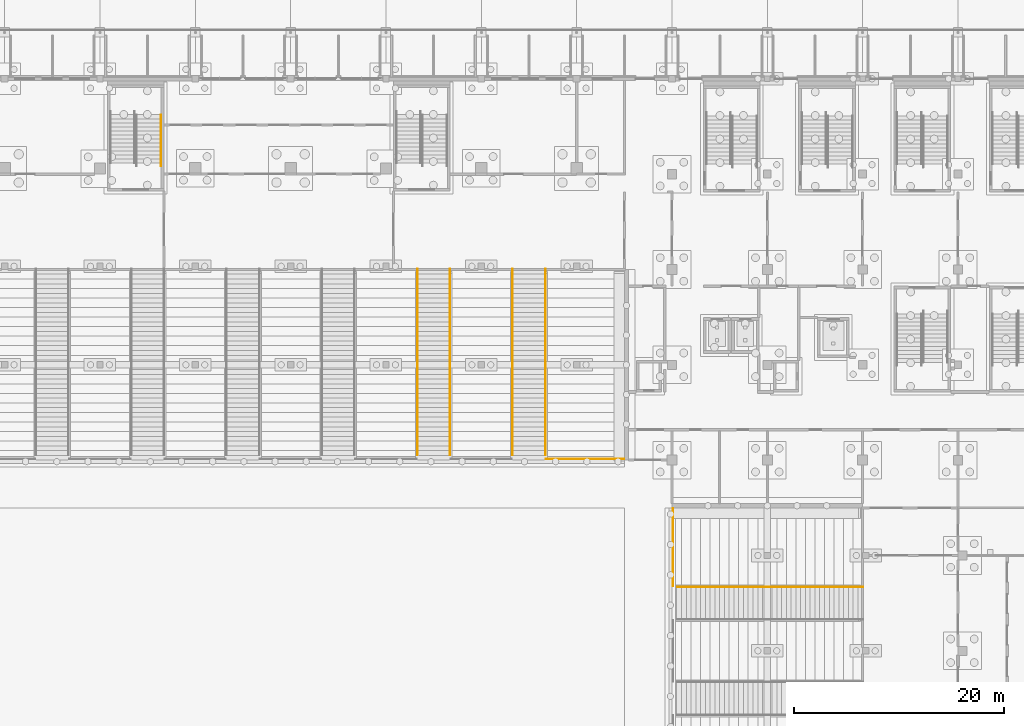
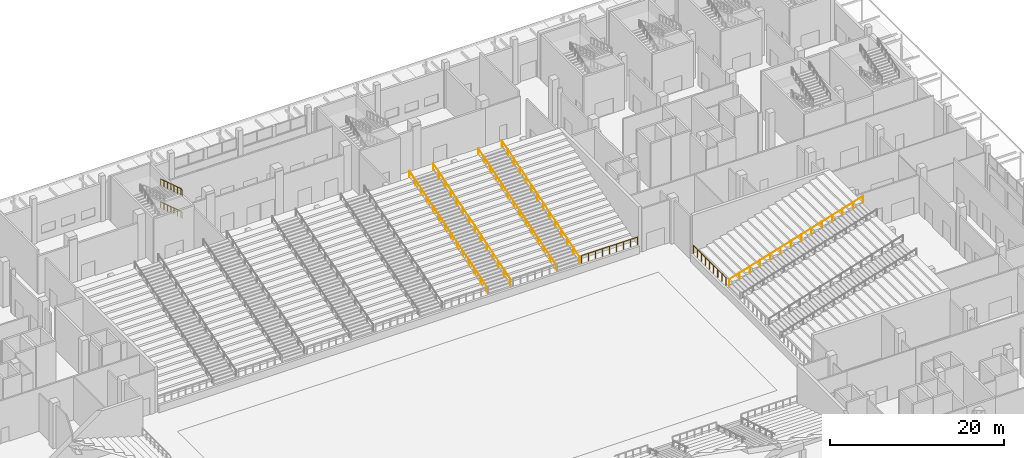
# One storey, part 114 of 129: 9 railings.
"""IFC4 building model written with IfcOpenShell, lengths in metres."""

from ifc_helpers import new_model, si_unit, direction, frame, origin, origin_2d, place, context, subcontext, project, spatial, circle, extrude, material, type_object, element, save


model = new_model("IFC4")

# Units and contexts
model_context = context("Model", 3, precision=1e-05, world=origin(), true_north=direction((0.0, 1.0)))
body_context = subcontext(model_context, "Body", "Model", "MODEL_VIEW")
ifc_project = project(units=[si_unit("LENGTHUNIT", "METRE"), si_unit("AREAUNIT", "SQUARE_METRE"), si_unit("VOLUMEUNIT", "CUBIC_METRE"), si_unit("PLANEANGLEUNIT", "RADIAN"), si_unit("MASSUNIT", "GRAM", prefix="KILO")], contexts=[model_context])

# Site, building, storey
site_placement = place(None, origin())
site = spatial("IfcSite", under=ifc_project, at=site_placement, CompositionType="ELEMENT")
building_placement = place(site_placement, origin())
building = spatial("IfcBuilding", under=site, at=building_placement, Name="Shirokan Park Arena", CompositionType="ELEMENT")
storey_placement = place(building_placement, origin())
storey = spatial("IfcBuildingStorey", under=building, at=storey_placement, Name="L00", CompositionType="ELEMENT", Elevation=0.0)

# Railings
ifc_material = material(Name="Stainless steel", Category="steel")
railing_type_1 = type_object("IfcRailingType", Name="Aisle handrail 900", PredefinedType="HANDRAIL", material=ifc_material)
railing_1_placement = place(storey_placement, frame((84.889892578125, 73.304931640625, 0.909912109375)))
element("IfcRailing", 1, at=railing_1_placement, inside=storey, type_object=railing_type_1, Name="Handrail vomitory stair N5 lower", PredefinedType="HANDRAIL", context=body_context, shape_type="SweptSolid", body=[
    extrude(circle(Radius=0.02490234375, at=origin_2d()), frame((0.0, 0.0, 0.89013671875), z_axis=(0.0, 0.955745737905, 0.294193957241), x_axis=(-1.0, 0.0, 0.0)), (0.0, 0.0, 1.0), 1.42822265625),
    extrude(circle(Radius=0.02490234375, at=origin_2d()), frame((0.0, 1.364990234375, 1.310546875), z_axis=(0.0, 0.95579379257, 0.294037797035), x_axis=(-1.0, 0.0, 0.0)), (0.0, 0.0, 1.0), 1.42822265625),
    extrude(circle(Radius=0.02490234375, at=origin_2d()), frame((0.0, 2.72998046875, 1.73046875), z_axis=(0.0, 0.95579379257, 0.294037797035), x_axis=(-1.0, 0.0, 0.0)), (0.0, 0.0, 1.0), 1.42822265625),
    extrude(circle(Radius=0.02490234375, at=origin_2d()), frame((0.0, 4.094970703125, 2.150390625), z_axis=(0.0, 0.955745737905, 0.294193957241), x_axis=(-1.0, 0.0, 0.0)), (0.0, 0.0, 1.0), 1.42822265625),
    extrude(circle(Radius=0.02490234375, at=origin_2d()), frame((0.0, 5.4599609375, 2.5703125), z_axis=(0.0, 0.95579379257, 0.294037797035), x_axis=(-1.0, 0.0, 0.0)), (0.0, 0.0, 1.0), 1.42822265625),
    extrude(circle(Radius=0.02490234375, at=origin_2d()), frame((0.0, 6.824951171875, 2.990234375), z_axis=(0.0, 0.955808569173, 0.293989760189), x_axis=(-1.0, 0.0, 0.0)), (0.0, 0.0, 1.0), 1.428466796875),
    extrude(circle(Radius=0.02490234375, at=origin_2d()), frame((0.0, 8.190185546875, 3.41015625), z_axis=(0.0, 0.955745737905, 0.294193957241), x_axis=(-1.0, 0.0, 0.0)), (0.0, 0.0, 1.0), 1.42822265625),
    extrude(circle(Radius=0.02490234375, at=origin_2d()), frame((0.0, 9.55517578125, 3.83056640625), z_axis=(0.0, 0.95579379257, 0.294037797035), x_axis=(-1.0, 0.0, 0.0)), (0.0, 0.0, 1.0), 1.42822265625),
    extrude(circle(Radius=0.02490234375, at=origin_2d()), frame((0.0, 10.920166015625, 4.25048828125), z_axis=(0.0, 0.95579379257, 0.294037797035), x_axis=(-1.0, 0.0, 0.0)), (0.0, 0.0, 1.0), 1.42822265625),
    extrude(circle(Radius=0.02490234375, at=origin_2d()), frame((0.0, 12.28515625, 4.67041015625), z_axis=(0.0, 0.955745737905, 0.294193957241), x_axis=(-1.0, 0.0, 0.0)), (0.0, 0.0, 1.0), 1.42822265625),
    extrude(circle(Radius=0.02490234375, at=origin_2d()), frame((0.0, 13.650146484375, 5.09033203125), z_axis=(0.0, 0.95579379257, 0.294037797035), x_axis=(-1.0, 0.0, 0.0)), (0.0, 0.0, 1.0), 1.42822265625),
    extrude(circle(Radius=0.02490234375, at=origin_2d()), frame((0.0, 15.01513671875, 5.51025390625), z_axis=(0.0, 0.95579379257, 0.294037797035), x_axis=(-1.0, 0.0, 0.0)), (0.0, 0.0, 1.0), 1.42822265625),
    extrude(circle(Radius=0.02490234375, at=origin_2d()), frame((0.0, 16.380126953125, 5.93017578125), z_axis=(0.0, 0.955745737905, 0.294193957241), x_axis=(-1.0, 0.0, 0.0)), (0.0, 0.0, 1.0), 1.42822265625),
    extrude(circle(Radius=0.02490234375, at=origin_2d()), origin(), (0.0, 0.0, 1.0), 0.865234375),
    extrude(circle(Radius=0.02490234375, at=origin_2d()), frame((0.0, 1.364990234375, 0.420166015625)), (0.0, 0.0, 1.0), 0.865234375),
    extrude(circle(Radius=0.02490234375, at=origin_2d()), frame((0.0, 2.72998046875, 0.840087890625)), (0.0, 0.0, 1.0), 0.865234375),
    extrude(circle(Radius=0.02490234375, at=origin_2d()), frame((0.0, 4.094970703125, 1.260009765625)), (0.0, 0.0, 1.0), 0.865234375),
    extrude(circle(Radius=0.02490234375, at=origin_2d()), frame((0.0, 5.4599609375, 1.68017578125)), (0.0, 0.0, 1.0), 0.865234375),
    extrude(circle(Radius=0.02490234375, at=origin_2d()), frame((0.0, 6.824951171875, 2.10009765625)), (0.0, 0.0, 1.0), 0.865234375),
    extrude(circle(Radius=0.02490234375, at=origin_2d()), frame((0.0, 8.190185546875, 2.52001953125)), (0.0, 0.0, 1.0), 0.865234375),
    extrude(circle(Radius=0.02490234375, at=origin_2d()), frame((0.0, 9.55517578125, 2.940185546875)), (0.0, 0.0, 1.0), 0.865234375),
    extrude(circle(Radius=0.02490234375, at=origin_2d()), frame((0.0, 10.920166015625, 3.360107421875)), (0.0, 0.0, 1.0), 0.865234375),
    extrude(circle(Radius=0.02490234375, at=origin_2d()), frame((0.0, 12.28515625, 3.780029296875)), (0.0, 0.0, 1.0), 0.865234375),
    extrude(circle(Radius=0.02490234375, at=origin_2d()), frame((0.0, 13.650146484375, 4.2001953125)), (0.0, 0.0, 1.0), 0.865234375),
    extrude(circle(Radius=0.02490234375, at=origin_2d()), frame((0.0, 15.01513671875, 4.6201171875)), (0.0, 0.0, 1.0), 0.865234375),
    extrude(circle(Radius=0.02490234375, at=origin_2d()), frame((0.0, 16.380126953125, 5.0400390625)), (0.0, 0.0, 1.0), 0.865234375),
    extrude(circle(Radius=0.02490234375, at=origin_2d()), frame((0.0, 17.7451171875, 5.460205078125)), (0.0, 0.0, 1.0), 0.865234375),
])
railing_2_placement = place(storey_placement, frame((88.010009765625, 73.304931640625, 0.909912109375)))
element("IfcRailing", 2, at=railing_2_placement, inside=storey, type_object=railing_type_1, Name="Handrail vomitory stair N5 lower", PredefinedType="HANDRAIL", context=body_context, shape_type="SweptSolid", body=[
    extrude(circle(Radius=0.02490234375, at=origin_2d()), frame((0.0, 0.0, 0.89013671875), z_axis=(0.0, 0.955745737905, 0.294193957241), x_axis=(-1.0, 0.0, 0.0)), (0.0, 0.0, 1.0), 1.42822265625),
    extrude(circle(Radius=0.02490234375, at=origin_2d()), frame((0.0, 1.364990234375, 1.310546875), z_axis=(0.0, 0.95579379257, 0.294037797035), x_axis=(-1.0, 0.0, 0.0)), (0.0, 0.0, 1.0), 1.42822265625),
    extrude(circle(Radius=0.02490234375, at=origin_2d()), frame((0.0, 2.72998046875, 1.73046875), z_axis=(0.0, 0.95579379257, 0.294037797035), x_axis=(-1.0, 0.0, 0.0)), (0.0, 0.0, 1.0), 1.42822265625),
    extrude(circle(Radius=0.02490234375, at=origin_2d()), frame((0.0, 4.094970703125, 2.150390625), z_axis=(0.0, 0.955745737905, 0.294193957241), x_axis=(-1.0, 0.0, 0.0)), (0.0, 0.0, 1.0), 1.42822265625),
    extrude(circle(Radius=0.02490234375, at=origin_2d()), frame((0.0, 5.4599609375, 2.5703125), z_axis=(0.0, 0.95579379257, 0.294037797035), x_axis=(-1.0, 0.0, 0.0)), (0.0, 0.0, 1.0), 1.42822265625),
    extrude(circle(Radius=0.02490234375, at=origin_2d()), frame((0.0, 6.824951171875, 2.990234375), z_axis=(0.0, 0.955808569173, 0.293989760189), x_axis=(-1.0, 0.0, 0.0)), (0.0, 0.0, 1.0), 1.428466796875),
    extrude(circle(Radius=0.02490234375, at=origin_2d()), frame((0.0, 8.190185546875, 3.41015625), z_axis=(0.0, 0.955745737905, 0.294193957241), x_axis=(-1.0, 0.0, 0.0)), (0.0, 0.0, 1.0), 1.42822265625),
    extrude(circle(Radius=0.02490234375, at=origin_2d()), frame((0.0, 9.55517578125, 3.83056640625), z_axis=(0.0, 0.95579379257, 0.294037797035), x_axis=(-1.0, 0.0, 0.0)), (0.0, 0.0, 1.0), 1.42822265625),
    extrude(circle(Radius=0.02490234375, at=origin_2d()), frame((0.0, 10.920166015625, 4.25048828125), z_axis=(0.0, 0.95579379257, 0.294037797035), x_axis=(-1.0, 0.0, 0.0)), (0.0, 0.0, 1.0), 1.42822265625),
    extrude(circle(Radius=0.02490234375, at=origin_2d()), frame((0.0, 12.28515625, 4.67041015625), z_axis=(0.0, 0.955745737905, 0.294193957241), x_axis=(-1.0, 0.0, 0.0)), (0.0, 0.0, 1.0), 1.42822265625),
    extrude(circle(Radius=0.02490234375, at=origin_2d()), frame((0.0, 13.650146484375, 5.09033203125), z_axis=(0.0, 0.95579379257, 0.294037797035), x_axis=(-1.0, 0.0, 0.0)), (0.0, 0.0, 1.0), 1.42822265625),
    extrude(circle(Radius=0.02490234375, at=origin_2d()), frame((0.0, 15.01513671875, 5.51025390625), z_axis=(0.0, 0.95579379257, 0.294037797035), x_axis=(-1.0, 0.0, 0.0)), (0.0, 0.0, 1.0), 1.42822265625),
    extrude(circle(Radius=0.02490234375, at=origin_2d()), frame((0.0, 16.380126953125, 5.93017578125), z_axis=(0.0, 0.955745737905, 0.294193957241), x_axis=(-1.0, 0.0, 0.0)), (0.0, 0.0, 1.0), 1.42822265625),
    extrude(circle(Radius=0.02490234375, at=origin_2d()), origin(), (0.0, 0.0, 1.0), 0.865234375),
    extrude(circle(Radius=0.02490234375, at=origin_2d()), frame((0.0, 1.364990234375, 0.420166015625)), (0.0, 0.0, 1.0), 0.865234375),
    extrude(circle(Radius=0.02490234375, at=origin_2d()), frame((0.0, 2.72998046875, 0.840087890625)), (0.0, 0.0, 1.0), 0.865234375),
    extrude(circle(Radius=0.02490234375, at=origin_2d()), frame((0.0, 4.094970703125, 1.260009765625)), (0.0, 0.0, 1.0), 0.865234375),
    extrude(circle(Radius=0.02490234375, at=origin_2d()), frame((0.0, 5.4599609375, 1.68017578125)), (0.0, 0.0, 1.0), 0.865234375),
    extrude(circle(Radius=0.02490234375, at=origin_2d()), frame((0.0, 6.824951171875, 2.10009765625)), (0.0, 0.0, 1.0), 0.865234375),
    extrude(circle(Radius=0.02490234375, at=origin_2d()), frame((0.0, 8.190185546875, 2.52001953125)), (0.0, 0.0, 1.0), 0.865234375),
    extrude(circle(Radius=0.02490234375, at=origin_2d()), frame((0.0, 9.55517578125, 2.940185546875)), (0.0, 0.0, 1.0), 0.865234375),
    extrude(circle(Radius=0.02490234375, at=origin_2d()), frame((0.0, 10.920166015625, 3.360107421875)), (0.0, 0.0, 1.0), 0.865234375),
    extrude(circle(Radius=0.02490234375, at=origin_2d()), frame((0.0, 12.28515625, 3.780029296875)), (0.0, 0.0, 1.0), 0.865234375),
    extrude(circle(Radius=0.02490234375, at=origin_2d()), frame((0.0, 13.650146484375, 4.2001953125)), (0.0, 0.0, 1.0), 0.865234375),
    extrude(circle(Radius=0.02490234375, at=origin_2d()), frame((0.0, 15.01513671875, 4.6201171875)), (0.0, 0.0, 1.0), 0.865234375),
    extrude(circle(Radius=0.02490234375, at=origin_2d()), frame((0.0, 16.380126953125, 5.0400390625)), (0.0, 0.0, 1.0), 0.865234375),
    extrude(circle(Radius=0.02490234375, at=origin_2d()), frame((0.0, 17.7451171875, 5.460205078125)), (0.0, 0.0, 1.0), 0.865234375),
])
railing_3_placement = place(storey_placement, frame((93.989990234375, 73.304931640625, 0.909912109375)))
element("IfcRailing", 3, at=railing_3_placement, inside=storey, type_object=railing_type_1, Name="Handrail vomitory stair N6 lower", PredefinedType="HANDRAIL", context=body_context, shape_type="SweptSolid", body=[
    extrude(circle(Radius=0.02490234375, at=origin_2d()), frame((0.0, 0.0, 0.89013671875), z_axis=(0.0, 0.955745737905, 0.294193957241), x_axis=(-1.0, 0.0, 0.0)), (0.0, 0.0, 1.0), 1.42822265625),
    extrude(circle(Radius=0.02490234375, at=origin_2d()), frame((0.0, 1.364990234375, 1.310546875), z_axis=(0.0, 0.95579379257, 0.294037797035), x_axis=(-1.0, 0.0, 0.0)), (0.0, 0.0, 1.0), 1.42822265625),
    extrude(circle(Radius=0.02490234375, at=origin_2d()), frame((0.0, 2.72998046875, 1.73046875), z_axis=(0.0, 0.95579379257, 0.294037797035), x_axis=(-1.0, 0.0, 0.0)), (0.0, 0.0, 1.0), 1.42822265625),
    extrude(circle(Radius=0.02490234375, at=origin_2d()), frame((0.0, 4.094970703125, 2.150390625), z_axis=(0.0, 0.955745737905, 0.294193957241), x_axis=(-1.0, 0.0, 0.0)), (0.0, 0.0, 1.0), 1.42822265625),
    extrude(circle(Radius=0.02490234375, at=origin_2d()), frame((0.0, 5.4599609375, 2.5703125), z_axis=(0.0, 0.95579379257, 0.294037797035), x_axis=(-1.0, 0.0, 0.0)), (0.0, 0.0, 1.0), 1.42822265625),
    extrude(circle(Radius=0.02490234375, at=origin_2d()), frame((0.0, 6.824951171875, 2.990234375), z_axis=(0.0, 0.955808569173, 0.293989760189), x_axis=(-1.0, 0.0, 0.0)), (0.0, 0.0, 1.0), 1.428466796875),
    extrude(circle(Radius=0.02490234375, at=origin_2d()), frame((0.0, 8.190185546875, 3.41015625), z_axis=(0.0, 0.955745737905, 0.294193957241), x_axis=(-1.0, 0.0, 0.0)), (0.0, 0.0, 1.0), 1.42822265625),
    extrude(circle(Radius=0.02490234375, at=origin_2d()), frame((0.0, 9.55517578125, 3.83056640625), z_axis=(0.0, 0.95579379257, 0.294037797035), x_axis=(-1.0, 0.0, 0.0)), (0.0, 0.0, 1.0), 1.42822265625),
    extrude(circle(Radius=0.02490234375, at=origin_2d()), frame((0.0, 10.920166015625, 4.25048828125), z_axis=(0.0, 0.95579379257, 0.294037797035), x_axis=(-1.0, 0.0, 0.0)), (0.0, 0.0, 1.0), 1.42822265625),
    extrude(circle(Radius=0.02490234375, at=origin_2d()), frame((0.0, 12.28515625, 4.67041015625), z_axis=(0.0, 0.955745737905, 0.294193957241), x_axis=(-1.0, 0.0, 0.0)), (0.0, 0.0, 1.0), 1.42822265625),
    extrude(circle(Radius=0.02490234375, at=origin_2d()), frame((0.0, 13.650146484375, 5.09033203125), z_axis=(0.0, 0.95579379257, 0.294037797035), x_axis=(-1.0, 0.0, 0.0)), (0.0, 0.0, 1.0), 1.42822265625),
    extrude(circle(Radius=0.02490234375, at=origin_2d()), frame((0.0, 15.01513671875, 5.51025390625), z_axis=(0.0, 0.95579379257, 0.294037797035), x_axis=(-1.0, 0.0, 0.0)), (0.0, 0.0, 1.0), 1.42822265625),
    extrude(circle(Radius=0.02490234375, at=origin_2d()), frame((0.0, 16.380126953125, 5.93017578125), z_axis=(0.0, 0.955745737905, 0.294193957241), x_axis=(-1.0, 0.0, 0.0)), (0.0, 0.0, 1.0), 1.42822265625),
    extrude(circle(Radius=0.02490234375, at=origin_2d()), origin(), (0.0, 0.0, 1.0), 0.865234375),
    extrude(circle(Radius=0.02490234375, at=origin_2d()), frame((0.0, 1.364990234375, 0.420166015625)), (0.0, 0.0, 1.0), 0.865234375),
    extrude(circle(Radius=0.02490234375, at=origin_2d()), frame((0.0, 2.72998046875, 0.840087890625)), (0.0, 0.0, 1.0), 0.865234375),
    extrude(circle(Radius=0.02490234375, at=origin_2d()), frame((0.0, 4.094970703125, 1.260009765625)), (0.0, 0.0, 1.0), 0.865234375),
    extrude(circle(Radius=0.02490234375, at=origin_2d()), frame((0.0, 5.4599609375, 1.68017578125)), (0.0, 0.0, 1.0), 0.865234375),
    extrude(circle(Radius=0.02490234375, at=origin_2d()), frame((0.0, 6.824951171875, 2.10009765625)), (0.0, 0.0, 1.0), 0.865234375),
    extrude(circle(Radius=0.02490234375, at=origin_2d()), frame((0.0, 8.190185546875, 2.52001953125)), (0.0, 0.0, 1.0), 0.865234375),
    extrude(circle(Radius=0.02490234375, at=origin_2d()), frame((0.0, 9.55517578125, 2.940185546875)), (0.0, 0.0, 1.0), 0.865234375),
    extrude(circle(Radius=0.02490234375, at=origin_2d()), frame((0.0, 10.920166015625, 3.360107421875)), (0.0, 0.0, 1.0), 0.865234375),
    extrude(circle(Radius=0.02490234375, at=origin_2d()), frame((0.0, 12.28515625, 3.780029296875)), (0.0, 0.0, 1.0), 0.865234375),
    extrude(circle(Radius=0.02490234375, at=origin_2d()), frame((0.0, 13.650146484375, 4.2001953125)), (0.0, 0.0, 1.0), 0.865234375),
    extrude(circle(Radius=0.02490234375, at=origin_2d()), frame((0.0, 15.01513671875, 4.6201171875)), (0.0, 0.0, 1.0), 0.865234375),
    extrude(circle(Radius=0.02490234375, at=origin_2d()), frame((0.0, 16.380126953125, 5.0400390625)), (0.0, 0.0, 1.0), 0.865234375),
    extrude(circle(Radius=0.02490234375, at=origin_2d()), frame((0.0, 17.7451171875, 5.460205078125)), (0.0, 0.0, 1.0), 0.865234375),
])
railing_4_placement = place(storey_placement, frame((97.110107421875, 73.304931640625, 0.909912109375)))
element("IfcRailing", 4, at=railing_4_placement, inside=storey, type_object=railing_type_1, Name="Handrail vomitory stair N6 lower", PredefinedType="HANDRAIL", context=body_context, shape_type="SweptSolid", body=[
    extrude(circle(Radius=0.02490234375, at=origin_2d()), frame((0.0, 0.0, 0.89013671875), z_axis=(0.0, 0.955745737905, 0.294193957241), x_axis=(-1.0, 0.0, 0.0)), (0.0, 0.0, 1.0), 1.42822265625),
    extrude(circle(Radius=0.02490234375, at=origin_2d()), frame((0.0, 1.364990234375, 1.310546875), z_axis=(0.0, 0.95579379257, 0.294037797035), x_axis=(-1.0, 0.0, 0.0)), (0.0, 0.0, 1.0), 1.42822265625),
    extrude(circle(Radius=0.02490234375, at=origin_2d()), frame((0.0, 2.72998046875, 1.73046875), z_axis=(0.0, 0.95579379257, 0.294037797035), x_axis=(-1.0, 0.0, 0.0)), (0.0, 0.0, 1.0), 1.42822265625),
    extrude(circle(Radius=0.02490234375, at=origin_2d()), frame((0.0, 4.094970703125, 2.150390625), z_axis=(0.0, 0.955745737905, 0.294193957241), x_axis=(-1.0, 0.0, 0.0)), (0.0, 0.0, 1.0), 1.42822265625),
    extrude(circle(Radius=0.02490234375, at=origin_2d()), frame((0.0, 5.4599609375, 2.5703125), z_axis=(0.0, 0.95579379257, 0.294037797035), x_axis=(-1.0, 0.0, 0.0)), (0.0, 0.0, 1.0), 1.42822265625),
    extrude(circle(Radius=0.02490234375, at=origin_2d()), frame((0.0, 6.824951171875, 2.990234375), z_axis=(0.0, 0.955808569173, 0.293989760189), x_axis=(-1.0, 0.0, 0.0)), (0.0, 0.0, 1.0), 1.428466796875),
    extrude(circle(Radius=0.02490234375, at=origin_2d()), frame((0.0, 8.190185546875, 3.41015625), z_axis=(0.0, 0.955745737905, 0.294193957241), x_axis=(-1.0, 0.0, 0.0)), (0.0, 0.0, 1.0), 1.42822265625),
    extrude(circle(Radius=0.02490234375, at=origin_2d()), frame((0.0, 9.55517578125, 3.83056640625), z_axis=(0.0, 0.95579379257, 0.294037797035), x_axis=(-1.0, 0.0, 0.0)), (0.0, 0.0, 1.0), 1.42822265625),
    extrude(circle(Radius=0.02490234375, at=origin_2d()), frame((0.0, 10.920166015625, 4.25048828125), z_axis=(0.0, 0.95579379257, 0.294037797035), x_axis=(-1.0, 0.0, 0.0)), (0.0, 0.0, 1.0), 1.42822265625),
    extrude(circle(Radius=0.02490234375, at=origin_2d()), frame((0.0, 12.28515625, 4.67041015625), z_axis=(0.0, 0.955745737905, 0.294193957241), x_axis=(-1.0, 0.0, 0.0)), (0.0, 0.0, 1.0), 1.42822265625),
    extrude(circle(Radius=0.02490234375, at=origin_2d()), frame((0.0, 13.650146484375, 5.09033203125), z_axis=(0.0, 0.95579379257, 0.294037797035), x_axis=(-1.0, 0.0, 0.0)), (0.0, 0.0, 1.0), 1.42822265625),
    extrude(circle(Radius=0.02490234375, at=origin_2d()), frame((0.0, 15.01513671875, 5.51025390625), z_axis=(0.0, 0.95579379257, 0.294037797035), x_axis=(-1.0, 0.0, 0.0)), (0.0, 0.0, 1.0), 1.42822265625),
    extrude(circle(Radius=0.02490234375, at=origin_2d()), frame((0.0, 16.380126953125, 5.93017578125), z_axis=(0.0, 0.955745737905, 0.294193957241), x_axis=(-1.0, 0.0, 0.0)), (0.0, 0.0, 1.0), 1.42822265625),
    extrude(circle(Radius=0.02490234375, at=origin_2d()), origin(), (0.0, 0.0, 1.0), 0.865234375),
    extrude(circle(Radius=0.02490234375, at=origin_2d()), frame((0.0, 1.364990234375, 0.420166015625)), (0.0, 0.0, 1.0), 0.865234375),
    extrude(circle(Radius=0.02490234375, at=origin_2d()), frame((0.0, 2.72998046875, 0.840087890625)), (0.0, 0.0, 1.0), 0.865234375),
    extrude(circle(Radius=0.02490234375, at=origin_2d()), frame((0.0, 4.094970703125, 1.260009765625)), (0.0, 0.0, 1.0), 0.865234375),
    extrude(circle(Radius=0.02490234375, at=origin_2d()), frame((0.0, 5.4599609375, 1.68017578125)), (0.0, 0.0, 1.0), 0.865234375),
    extrude(circle(Radius=0.02490234375, at=origin_2d()), frame((0.0, 6.824951171875, 2.10009765625)), (0.0, 0.0, 1.0), 0.865234375),
    extrude(circle(Radius=0.02490234375, at=origin_2d()), frame((0.0, 8.190185546875, 2.52001953125)), (0.0, 0.0, 1.0), 0.865234375),
    extrude(circle(Radius=0.02490234375, at=origin_2d()), frame((0.0, 9.55517578125, 2.940185546875)), (0.0, 0.0, 1.0), 0.865234375),
    extrude(circle(Radius=0.02490234375, at=origin_2d()), frame((0.0, 10.920166015625, 3.360107421875)), (0.0, 0.0, 1.0), 0.865234375),
    extrude(circle(Radius=0.02490234375, at=origin_2d()), frame((0.0, 12.28515625, 3.780029296875)), (0.0, 0.0, 1.0), 0.865234375),
    extrude(circle(Radius=0.02490234375, at=origin_2d()), frame((0.0, 13.650146484375, 4.2001953125)), (0.0, 0.0, 1.0), 0.865234375),
    extrude(circle(Radius=0.02490234375, at=origin_2d()), frame((0.0, 15.01513671875, 4.6201171875)), (0.0, 0.0, 1.0), 0.865234375),
    extrude(circle(Radius=0.02490234375, at=origin_2d()), frame((0.0, 16.380126953125, 5.0400390625)), (0.0, 0.0, 1.0), 0.865234375),
    extrude(circle(Radius=0.02490234375, at=origin_2d()), frame((0.0, 17.7451171875, 5.460205078125)), (0.0, 0.0, 1.0), 0.865234375),
])
railing_5_placement = place(storey_placement, frame((109.705078125, 60.7099609375, 0.909912109375)))
element("IfcRailing", 5, at=railing_5_placement, inside=storey, type_object=railing_type_1, Name="Handrail vomitory stair E2 lower", PredefinedType="HANDRAIL", context=body_context, shape_type="SweptSolid", body=[
    extrude(circle(Radius=0.02490234375, at=origin_2d()), frame((0.0, 0.0, 0.89013671875), z_axis=(0.955745737905, 0.0, 0.294193957241), x_axis=(0.0, 1.0, 0.0)), (0.0, 0.0, 1.0), 1.42822265625),
    extrude(circle(Radius=0.02490234375, at=origin_2d()), frame((1.364990234375, 0.0, 1.310546875), z_axis=(0.95579379257, 0.0, 0.294037797035), x_axis=(0.0, 1.0, 0.0)), (0.0, 0.0, 1.0), 1.42822265625),
    extrude(circle(Radius=0.02490234375, at=origin_2d()), frame((2.72998046875, 0.0, 1.73046875), z_axis=(0.95579379257, 0.0, 0.294037797035), x_axis=(0.0, 1.0, 0.0)), (0.0, 0.0, 1.0), 1.42822265625),
    extrude(circle(Radius=0.02490234375, at=origin_2d()), frame((4.094970703125, 0.0, 2.150390625), z_axis=(0.955745737905, 0.0, 0.294193957241), x_axis=(0.0, 1.0, 0.0)), (0.0, 0.0, 1.0), 1.42822265625),
    extrude(circle(Radius=0.02490234375, at=origin_2d()), frame((5.4599609375, 0.0, 2.5703125), z_axis=(0.95579379257, 0.0, 0.294037797035), x_axis=(0.0, 1.0, 0.0)), (0.0, 0.0, 1.0), 1.42822265625),
    extrude(circle(Radius=0.02490234375, at=origin_2d()), frame((6.824951171875, 0.0, 2.990234375), z_axis=(0.95579379257, 0.0, 0.294037797035), x_axis=(0.0, 1.0, 0.0)), (0.0, 0.0, 1.0), 1.42822265625),
    extrude(circle(Radius=0.02490234375, at=origin_2d()), frame((8.18994140625, 0.0, 3.41015625), z_axis=(0.955745737905, 0.0, 0.294193957241), x_axis=(0.0, 1.0, 0.0)), (0.0, 0.0, 1.0), 1.42822265625),
    extrude(circle(Radius=0.02490234375, at=origin_2d()), frame((9.554931640625, 0.0, 3.83056640625), z_axis=(0.95579379257, 0.0, 0.294037797035), x_axis=(0.0, 1.0, 0.0)), (0.0, 0.0, 1.0), 1.42822265625),
    extrude(circle(Radius=0.02490234375, at=origin_2d()), frame((10.919921875, 0.0, 4.25048828125), z_axis=(0.95579379257, 0.0, 0.294037797035), x_axis=(0.0, 1.0, 0.0)), (0.0, 0.0, 1.0), 1.42822265625),
    extrude(circle(Radius=0.02490234375, at=origin_2d()), frame((12.284912109375, 0.0, 4.67041015625), z_axis=(0.955745737905, 0.0, 0.294193957241), x_axis=(0.0, 1.0, 0.0)), (0.0, 0.0, 1.0), 1.42822265625),
    extrude(circle(Radius=0.02490234375, at=origin_2d()), frame((13.64990234375, 0.0, 5.09033203125), z_axis=(0.95579379257, 0.0, 0.294037797035), x_axis=(0.0, 1.0, 0.0)), (0.0, 0.0, 1.0), 1.42822265625),
    extrude(circle(Radius=0.02490234375, at=origin_2d()), frame((15.014892578125, 0.0, 5.51025390625), z_axis=(0.95579379257, 0.0, 0.294037797035), x_axis=(0.0, 1.0, 0.0)), (0.0, 0.0, 1.0), 1.42822265625),
    extrude(circle(Radius=0.02490234375, at=origin_2d()), frame((16.3798828125, 0.0, 5.93017578125), z_axis=(0.955745737905, 0.0, 0.294193957241), x_axis=(0.0, 1.0, 0.0)), (0.0, 0.0, 1.0), 1.42822265625),
    extrude(circle(Radius=0.02490234375, at=origin_2d()), origin(), (0.0, 0.0, 1.0), 0.865234375),
    extrude(circle(Radius=0.02490234375, at=origin_2d()), frame((1.364990234375, 0.0, 0.420166015625)), (0.0, 0.0, 1.0), 0.865234375),
    extrude(circle(Radius=0.02490234375, at=origin_2d()), frame((2.72998046875, 0.0, 0.840087890625)), (0.0, 0.0, 1.0), 0.865234375),
    extrude(circle(Radius=0.02490234375, at=origin_2d()), frame((4.094970703125, 0.0, 1.260009765625)), (0.0, 0.0, 1.0), 0.865234375),
    extrude(circle(Radius=0.02490234375, at=origin_2d()), frame((5.4599609375, 0.0, 1.68017578125)), (0.0, 0.0, 1.0), 0.865234375),
    extrude(circle(Radius=0.02490234375, at=origin_2d()), frame((6.824951171875, 0.0, 2.10009765625)), (0.0, 0.0, 1.0), 0.865234375),
    extrude(circle(Radius=0.02490234375, at=origin_2d()), frame((8.18994140625, 0.0, 2.52001953125)), (0.0, 0.0, 1.0), 0.865234375),
    extrude(circle(Radius=0.02490234375, at=origin_2d()), frame((9.554931640625, 0.0, 2.940185546875)), (0.0, 0.0, 1.0), 0.865234375),
    extrude(circle(Radius=0.02490234375, at=origin_2d()), frame((10.919921875, 0.0, 3.360107421875)), (0.0, 0.0, 1.0), 0.865234375),
    extrude(circle(Radius=0.02490234375, at=origin_2d()), frame((12.284912109375, 0.0, 3.780029296875)), (0.0, 0.0, 1.0), 0.865234375),
    extrude(circle(Radius=0.02490234375, at=origin_2d()), frame((13.64990234375, 0.0, 4.2001953125)), (0.0, 0.0, 1.0), 0.865234375),
    extrude(circle(Radius=0.02490234375, at=origin_2d()), frame((15.014892578125, 0.0, 4.6201171875)), (0.0, 0.0, 1.0), 0.865234375),
    extrude(circle(Radius=0.02490234375, at=origin_2d()), frame((16.3798828125, 0.0, 5.0400390625)), (0.0, 0.0, 1.0), 0.865234375),
    extrude(circle(Radius=0.02490234375, at=origin_2d()), frame((17.744873046875, 0.0, 5.460205078125)), (0.0, 0.0, 1.0), 0.865234375),
])
railing_type_2 = type_object("IfcRailingType", Name="Crowd barrier 1100", PredefinedType="GUARDRAIL", material=ifc_material)
railing_6_placement = place(storey_placement, frame((97.199951171875, 72.89990234375, 1.050048828125)))
element("IfcRailing", 6, at=railing_6_placement, inside=storey, type_object=railing_type_2, Name="Crowd barrier N7 lower tier", PredefinedType="GUARDRAIL", context=body_context, shape_type="SweptSolid", body=[
    extrude(circle(Radius=0.030029296875, at=origin_2d()), frame((0.0, 0.0, 1.072021484375), z_axis=(1.0, 0.0, 0.0), x_axis=(0.0, 1.0, 0.0)), (0.0, 0.0, 1.0), 7.400146484375),
    extrude(circle(Radius=0.030029296875, at=origin_2d()), origin(), (0.0, 0.0, 1.0), 1.0419921875),
    extrude(circle(Radius=0.030029296875, at=origin_2d()), frame((0.925048828125, 0.0, 0.0)), (0.0, 0.0, 1.0), 1.0419921875),
    extrude(circle(Radius=0.030029296875, at=origin_2d()), frame((1.85009765625, 0.0, 0.0)), (0.0, 0.0, 1.0), 1.0419921875),
    extrude(circle(Radius=0.030029296875, at=origin_2d()), frame((2.775146484375, 0.0, 0.0)), (0.0, 0.0, 1.0), 1.0419921875),
    extrude(circle(Radius=0.030029296875, at=origin_2d()), frame((3.7001953125, 0.0, 0.0)), (0.0, 0.0, 1.0), 1.0419921875),
    extrude(circle(Radius=0.030029296875, at=origin_2d()), frame((4.625, 0.0, 0.0)), (0.0, 0.0, 1.0), 1.0419921875),
    extrude(circle(Radius=0.030029296875, at=origin_2d()), frame((5.550048828125, 0.0, 0.0)), (0.0, 0.0, 1.0), 1.0419921875),
    extrude(circle(Radius=0.030029296875, at=origin_2d()), frame((6.47509765625, 0.0, 0.0)), (0.0, 0.0, 1.0), 1.0419921875),
    extrude(circle(Radius=0.030029296875, at=origin_2d()), frame((7.400146484375, 0.0, 0.0)), (0.0, 0.0, 1.0), 1.0419921875),
])
railing_7_placement = place(storey_placement, frame((109.300048828125, 60.800048828125, 1.050048828125)))
element("IfcRailing", 7, at=railing_7_placement, inside=storey, type_object=railing_type_2, Name="Crowd barrier E3 lower tier", PredefinedType="GUARDRAIL", context=body_context, shape_type="SweptSolid", body=[
    extrude(circle(Radius=0.030029296875, at=origin_2d()), frame((0.0, 0.0, 1.072021484375), z_axis=(0.0, 1.0, 0.0), x_axis=(-1.0, 0.0, 0.0)), (0.0, 0.0, 1.0), 7.39990234375),
    extrude(circle(Radius=0.030029296875, at=origin_2d()), origin(), (0.0, 0.0, 1.0), 1.0419921875),
    extrude(circle(Radius=0.030029296875, at=origin_2d()), frame((0.0, 0.925048828125, 0.0)), (0.0, 0.0, 1.0), 1.0419921875),
    extrude(circle(Radius=0.030029296875, at=origin_2d()), frame((0.0, 1.85009765625, 0.0)), (0.0, 0.0, 1.0), 1.0419921875),
    extrude(circle(Radius=0.030029296875, at=origin_2d()), frame((0.0, 2.77490234375, 0.0)), (0.0, 0.0, 1.0), 1.0419921875),
    extrude(circle(Radius=0.030029296875, at=origin_2d()), frame((0.0, 3.699951171875, 0.0)), (0.0, 0.0, 1.0), 1.0419921875),
    extrude(circle(Radius=0.030029296875, at=origin_2d()), frame((0.0, 4.625, 0.0)), (0.0, 0.0, 1.0), 1.0419921875),
    extrude(circle(Radius=0.030029296875, at=origin_2d()), frame((0.0, 5.5498046875, 0.0)), (0.0, 0.0, 1.0), 1.0419921875),
    extrude(circle(Radius=0.030029296875, at=origin_2d()), frame((0.0, 6.474853515625, 0.0)), (0.0, 0.0, 1.0), 1.0419921875),
    extrude(circle(Radius=0.030029296875, at=origin_2d()), frame((0.0, 7.39990234375, 0.0)), (0.0, 0.0, 1.0), 1.0419921875),
])
railing_type_3 = type_object("IfcRailingType", Name="Stair handrail 900", PredefinedType="HANDRAIL", material=ifc_material)
railing_8_placement = place(storey_placement, frame((60.409912109375, 105.77001953125, 1.715087890625)))
element("IfcRailing", 8, at=railing_8_placement, inside=storey, type_object=railing_type_3, Name="Handrail Entrance Stair E4.1 L00 to L01", PredefinedType="HANDRAIL", context=body_context, shape_type="SweptSolid", body=[
    extrude(circle(Radius=0.02392578125, at=origin_2d()), frame((0.0, 0.0, 0.8759765625), z_axis=(0.0, -0.952929747917, 0.303191186441), x_axis=(1.0, 0.0, 0.0)), (0.0, 0.0, 1.0), 1.6162109375),
    extrude(circle(Radius=0.02392578125, at=origin_2d()), frame((0.0, -1.5400390625, 1.36572265625), z_axis=(0.0, -0.952929747917, 0.303191186441), x_axis=(1.0, 0.0, 0.0)), (0.0, 0.0, 1.0), 1.6162109375),
    extrude(circle(Radius=0.02392578125, at=origin_2d()), frame((0.0, -3.080078125, 1.85595703125), z_axis=(0.0, -0.952929747917, 0.303191186441), x_axis=(1.0, 0.0, 0.0)), (0.0, 0.0, 1.0), 1.6162109375),
    extrude(circle(Radius=0.02392578125, at=origin_2d()), frame((0.0, -4.6201171875, 2.345703125), z_axis=(0.0, -1.0, 0.0), x_axis=(1.0, 0.0, 0.0)), (0.0, 0.0, 1.0), 0.2998046875),
    extrude(circle(Radius=0.02099609375, at=origin_2d()), origin(), (0.0, 0.0, 1.0), 0.851806640625),
    extrude(circle(Radius=0.02099609375, at=origin_2d()), frame((0.0, -0.77001953125, 0.2451171875)), (0.0, 0.0, 1.0), 0.851806640625),
    extrude(circle(Radius=0.02099609375, at=origin_2d()), frame((0.0, -1.5400390625, 0.489990234375)), (0.0, 0.0, 1.0), 0.851806640625),
    extrude(circle(Radius=0.02099609375, at=origin_2d()), frame((0.0, -2.31005859375, 0.73486328125)), (0.0, 0.0, 1.0), 0.851806640625),
    extrude(circle(Radius=0.02099609375, at=origin_2d()), frame((0.0, -3.080078125, 0.97998046875)), (0.0, 0.0, 1.0), 0.851806640625),
    extrude(circle(Radius=0.02099609375, at=origin_2d()), frame((0.0, -3.85009765625, 1.22509765625)), (0.0, 0.0, 1.0), 0.851806640625),
    extrude(circle(Radius=0.02099609375, at=origin_2d()), frame((0.0, -4.6201171875, 1.469970703125)), (0.0, 0.0, 1.0), 0.851806640625),
    extrude(circle(Radius=0.02099609375, at=origin_2d()), frame((0.0, -4.919921875, 1.469970703125)), (0.0, 0.0, 1.0), 0.851806640625),
])
railing_9_placement = place(storey_placement, frame((60.409912109375, 105.77001953125, 4.89990234375)))
element("IfcRailing", 9, at=railing_9_placement, inside=storey, type_object=railing_type_3, Name="Handrail Entrance Stair E4.1 L00 to L01", PredefinedType="HANDRAIL", context=body_context, shape_type="SweptSolid", body=[
    extrude(circle(Radius=0.02392578125, at=origin_2d()), frame((0.0, 0.0, 0.8759765625), z_axis=(0.0, -0.952929747917, 0.303191186441), x_axis=(1.0, 0.0, 0.0)), (0.0, 0.0, 1.0), 1.6162109375),
    extrude(circle(Radius=0.02392578125, at=origin_2d()), frame((0.0, -1.5400390625, 1.36572265625), z_axis=(0.0, -0.952929747917, 0.303191186441), x_axis=(1.0, 0.0, 0.0)), (0.0, 0.0, 1.0), 1.6162109375),
    extrude(circle(Radius=0.02392578125, at=origin_2d()), frame((0.0, -3.080078125, 1.85595703125), z_axis=(0.0, -0.952886093821, 0.303328357069), x_axis=(1.0, 0.0, 0.0)), (0.0, 0.0, 1.0), 1.6162109375),
    extrude(circle(Radius=0.02392578125, at=origin_2d()), frame((0.0, -4.6201171875, 2.34619140625), z_axis=(0.0, -1.0, 0.0), x_axis=(1.0, 0.0, 0.0)), (0.0, 0.0, 1.0), 0.2998046875),
    extrude(circle(Radius=0.02099609375, at=origin_2d()), origin(), (0.0, 0.0, 1.0), 0.851806640625),
    extrude(circle(Radius=0.02099609375, at=origin_2d()), frame((0.0, -0.77001953125, 0.2451171875)), (0.0, 0.0, 1.0), 0.851806640625),
    extrude(circle(Radius=0.02099609375, at=origin_2d()), frame((0.0, -1.5400390625, 0.489990234375)), (0.0, 0.0, 1.0), 0.851806640625),
    extrude(circle(Radius=0.02099609375, at=origin_2d()), frame((0.0, -2.31005859375, 0.73486328125)), (0.0, 0.0, 1.0), 0.851806640625),
    extrude(circle(Radius=0.02099609375, at=origin_2d()), frame((0.0, -3.080078125, 0.97998046875)), (0.0, 0.0, 1.0), 0.851806640625),
    extrude(circle(Radius=0.02099609375, at=origin_2d()), frame((0.0, -3.85009765625, 1.22509765625)), (0.0, 0.0, 1.0), 0.851806640625),
    extrude(circle(Radius=0.02099609375, at=origin_2d()), frame((0.0, -4.6201171875, 1.47021484375)), (0.0, 0.0, 1.0), 0.851806640625),
    extrude(circle(Radius=0.02099609375, at=origin_2d()), frame((0.0, -4.919921875, 1.47021484375)), (0.0, 0.0, 1.0), 0.851806640625),
])

save(model, "model.ifc")
